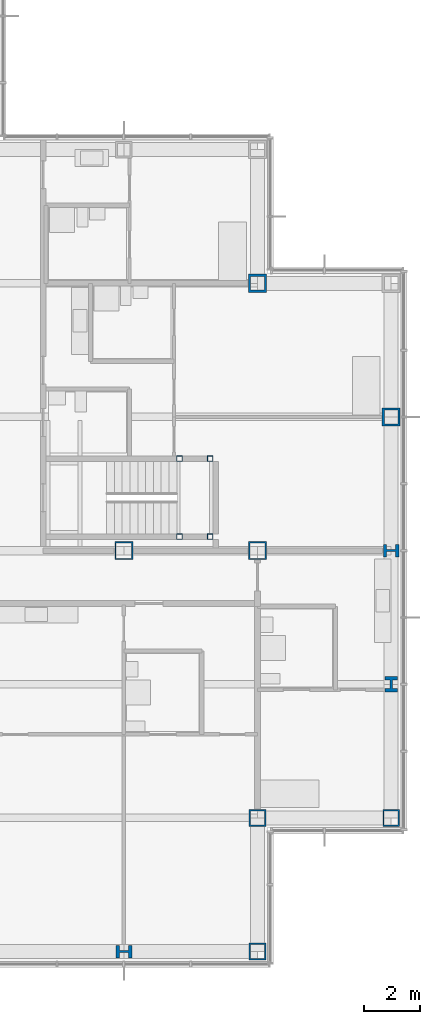
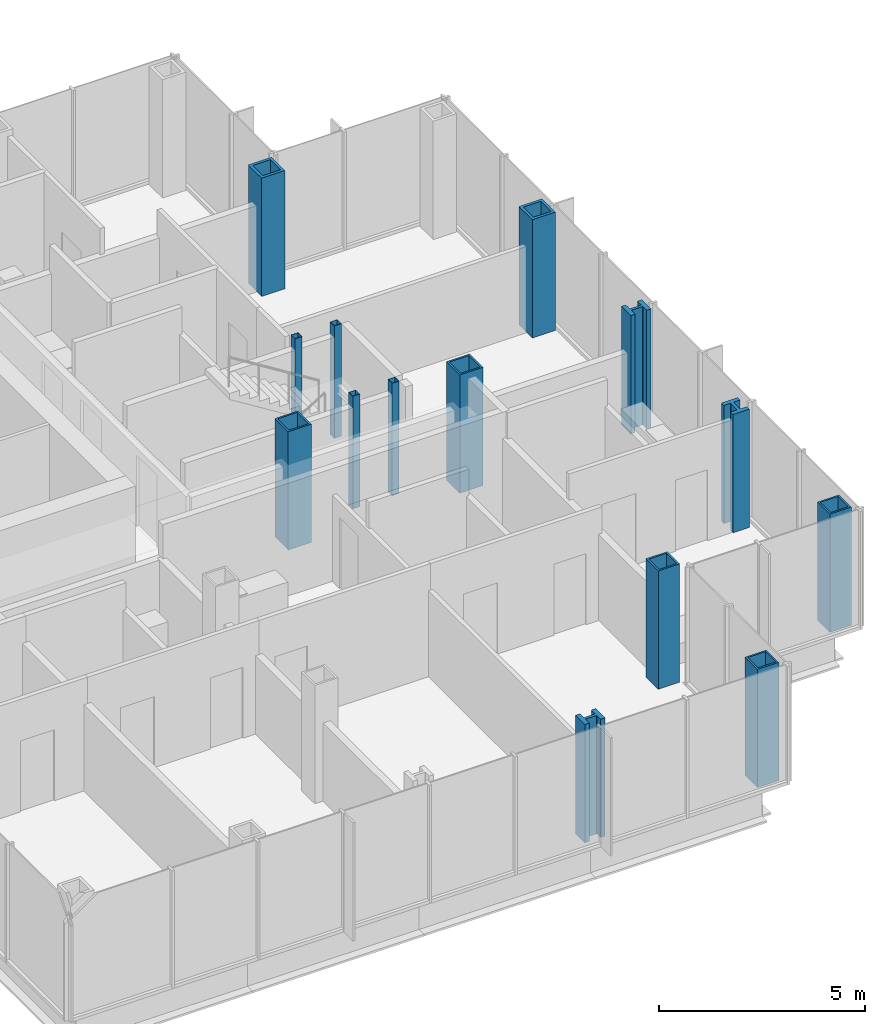
# One storey, part 4 of 20: 14 columns.
"""IFC4 building model written with IfcOpenShell, lengths in metres."""

from ifc_helpers import new_model, si_unit, direction, frame, origin, origin_2d, place, context, subcontext, project, spatial, hollow_rectangle, i_section, extrude, material, material_profile, profile_set, type_object, element, save


model = new_model("IFC4")

# Units and contexts
model_context = context("Model", 3, precision=1e-05, world=origin(), true_north=direction((0.0, 1.0)))
body_context = subcontext(model_context, "Body", "Model", "MODEL_VIEW")
ifc_project = project(units=[si_unit("LENGTHUNIT", "METRE"), si_unit("AREAUNIT", "SQUARE_METRE"), si_unit("VOLUMEUNIT", "CUBIC_METRE"), si_unit("PLANEANGLEUNIT", "RADIAN"), si_unit("MASSUNIT", "GRAM", prefix="KILO")], contexts=[model_context])

# Site, building, storey
site_placement = place(None, origin())
site = spatial("IfcSite", under=ifc_project, at=site_placement, CompositionType="ELEMENT")
building_placement = place(site_placement, origin())
building = spatial("IfcBuilding", under=site, at=building_placement, Name="Kvirike Care Tower", CompositionType="ELEMENT")
storey_placement = place(building_placement, frame((0.0, 0.0, 94.5)))
storey = spatial("IfcBuildingStorey", under=building, at=storey_placement, Name="L25", CompositionType="ELEMENT", Elevation=94.5)

# Columns
ifc_material_1 = material(Name="Steel S460", Category="steel")
ifc_material_profile_1 = material_profile(ifc_material_1, hollow_rectangle(XDim=0.60009765625, YDim=0.60009765625, WallThickness=0.050048828125, at=origin_2d()), Name="BX 600x600x50")
ifc_profile_set_1 = profile_set([ifc_material_profile_1], Name="Steel S460")
column_type_1 = type_object("IfcColumnType", Name="COLUMN BX 600x600x50", PredefinedType="COLUMN", material=ifc_profile_set_1)
for number, where, z_axis, x_axis, name in (
    (1, (38.39990234375, 14.39990234375, 0.0), (0.0, 0.0, 1.0), (0.0, 1.0, 0.0), "Column D11 L25"),
    (2, (38.39990234375, 19.199951171875, 0.0), (0.0, 0.0, 1.0), (0.0, 1.0, 0.0), "Column E11 L25"),
    (3, (43.199951171875, 19.199951171875, 0.0), (0.0, 0.0, 1.0), (0.0, 1.0, 0.0), "Column E12 L25"),
):
    element("IfcColumn", number, at=place(storey_placement, frame(where, z_axis=z_axis, x_axis=x_axis)), inside=storey, type_object=column_type_1, Name=name, PredefinedType="COLUMN", context=body_context, shape_type="SweptSolid", body=[
        extrude(hollow_rectangle(XDim=0.60009765625, YDim=0.60009765625, WallThickness=0.050048828125, at=origin_2d()), origin(), (0.0, 0.0, 1.0), 3.5),
    ])
ifc_material_2 = material(Name="Steel S460", Category="steel")
ifc_material_profile_2 = material_profile(ifc_material_2, hollow_rectangle(XDim=0.64990234375, YDim=0.64990234375, WallThickness=0.050048828125, at=origin_2d()), Name="BX 650x650x50")
ifc_profile_set_2 = profile_set([ifc_material_profile_2], Name="Steel S460")
column_type_2 = type_object("IfcColumnType", Name="COLUMN BX 650x650x50", PredefinedType="COLUMN", material=ifc_profile_set_2)
for number, where, z_axis, x_axis, name in (
    (4, (33.60009765625, 28.800048828125, 0.0), (0.0, 0.0, 1.0), (0.0, 1.0, 0.0), "Column G10 L25"),
    (5, (38.39990234375, 28.800048828125, 0.0), (0.0, 0.0, 1.0), (0.0, 1.0, 0.0), "Column G11 L25"),
):
    element("IfcColumn", number, at=place(storey_placement, frame(where, z_axis=z_axis, x_axis=x_axis)), inside=storey, type_object=column_type_2, Name=name, PredefinedType="COLUMN", context=body_context, shape_type="SweptSolid", body=[
        extrude(hollow_rectangle(XDim=0.64990234375, YDim=0.64990234375, WallThickness=0.050048828125, at=origin_2d()), origin(), (0.0, 0.0, 1.0), 3.5),
    ])
ifc_material_3 = material(Name="Steel S460", Category="steel")
ifc_material_profile_3 = material_profile(ifc_material_3, hollow_rectangle(XDim=0.64990234375, YDim=0.64990234375, WallThickness=0.080078125, at=origin_2d()), Name="BX 650x650x80")
ifc_profile_set_3 = profile_set([ifc_material_profile_3], Name="Steel S460")
column_type_3 = type_object("IfcColumnType", Name="COLUMN BX 650x650x80", PredefinedType="COLUMN", material=ifc_profile_set_3)
for number, where, z_axis, x_axis, name in (
    (6, (38.39990234375, 38.39990234375, 0.0), (0.0, 0.0, 1.0), (0.0, 1.0, 0.0), "Column J11 L25"),
    (7, (43.199951171875, 33.60009765625, 0.0), (0.0, 0.0, 1.0), (1.0, 0.0, 0.0), "Column H12 L25"),
):
    element("IfcColumn", number, at=place(storey_placement, frame(where, z_axis=z_axis, x_axis=x_axis)), inside=storey, type_object=column_type_3, Name=name, PredefinedType="COLUMN", context=body_context, shape_type="SweptSolid", body=[
        extrude(hollow_rectangle(XDim=0.64990234375, YDim=0.64990234375, WallThickness=0.080078125, at=origin_2d()), origin(), (0.0, 0.0, 1.0), 3.5),
    ])
ifc_material_4 = material(Name="Steel S460", Category="steel")
ifc_material_profile_4 = material_profile(ifc_material_4, i_section(OverallWidth=0.4541015625, OverallDepth=0.569091796875, WebThickness=0.077880859375, FlangeThickness=0.125, FilletRadius=0.014892578125, at=origin_2d()), Name="HD 400x1086")
ifc_profile_set_4 = profile_set([ifc_material_profile_4], Name="Steel S460")
column_type_4 = type_object("IfcColumnType", Name="COLUMN HD 400x1086", PredefinedType="COLUMN", material=ifc_profile_set_4)
for number, where, z_axis, x_axis, name in (
    (8, (33.60009765625, 14.39990234375, 0.0), (0.0, 0.0, 1.0), (0.0, 1.0, 0.0), "Column D10 L25"),
    (9, (43.199951171875, 24.0, 0.0), (0.0, 0.0, 1.0), (1.0, 0.0, 0.0), "Column F12 L25"),
    (10, (43.199951171875, 28.800048828125, 0.0), (0.0, 0.0, 1.0), (0.0, 1.0, 0.0), "Column G12 L25"),
):
    element("IfcColumn", number, at=place(storey_placement, frame(where, z_axis=z_axis, x_axis=x_axis)), inside=storey, type_object=column_type_4, Name=name, PredefinedType="COLUMN", context=body_context, shape_type="SweptSolid", body=[
        extrude(i_section(OverallWidth=0.4541015625, OverallDepth=0.569091796875, WebThickness=0.077880859375, FlangeThickness=0.125, FilletRadius=0.014892578125, at=origin_2d()), origin(), (0.0, 0.0, 1.0), 3.5),
    ])
ifc_material_5 = material(Name="Steel S460", Category="steel")
ifc_material_profile_5 = material_profile(ifc_material_5, hollow_rectangle(XDim=0.199951171875, YDim=0.199951171875, WallThickness=0.008056640625, at=origin_2d()), Name="SHS 200x200x8")
ifc_profile_set_5 = profile_set([ifc_material_profile_5], Name="Steel S460")
column_type_5 = type_object("IfcColumnType", Name="STAIR POST SHS 200x200x8", PredefinedType="COLUMN", material=ifc_profile_set_5)
for number, where, z_axis, x_axis, name in (
    (11, (36.699951171875, 29.300048828125, 0.0), (0.0, 0.0, 1.0), (1.0, 0.0, 0.0), "Stair 2 post 1 L25"),
    (12, (36.699951171875, 32.10009765625, 0.0), (0.0, 0.0, 1.0), (1.0, 0.0, 0.0), "Stair 2 post 2 L25"),
    (13, (35.60009765625, 29.300048828125, 0.0), (0.0, 0.0, 1.0), (1.0, 0.0, 0.0), "Stair 2 post 3 L25"),
    (14, (35.60009765625, 32.10009765625, 0.0), (0.0, 0.0, 1.0), (1.0, 0.0, 0.0), "Stair 2 post 4 L25"),
):
    element("IfcColumn", number, at=place(storey_placement, frame(where, z_axis=z_axis, x_axis=x_axis)), inside=storey, type_object=column_type_5, Name=name, PredefinedType="COLUMN", context=body_context, shape_type="SweptSolid", body=[
        extrude(hollow_rectangle(XDim=0.199951171875, YDim=0.199951171875, WallThickness=0.008056640625, at=origin_2d()), origin(), (0.0, 0.0, 1.0), 3.330078125),
    ])

save(model, "model.ifc")
